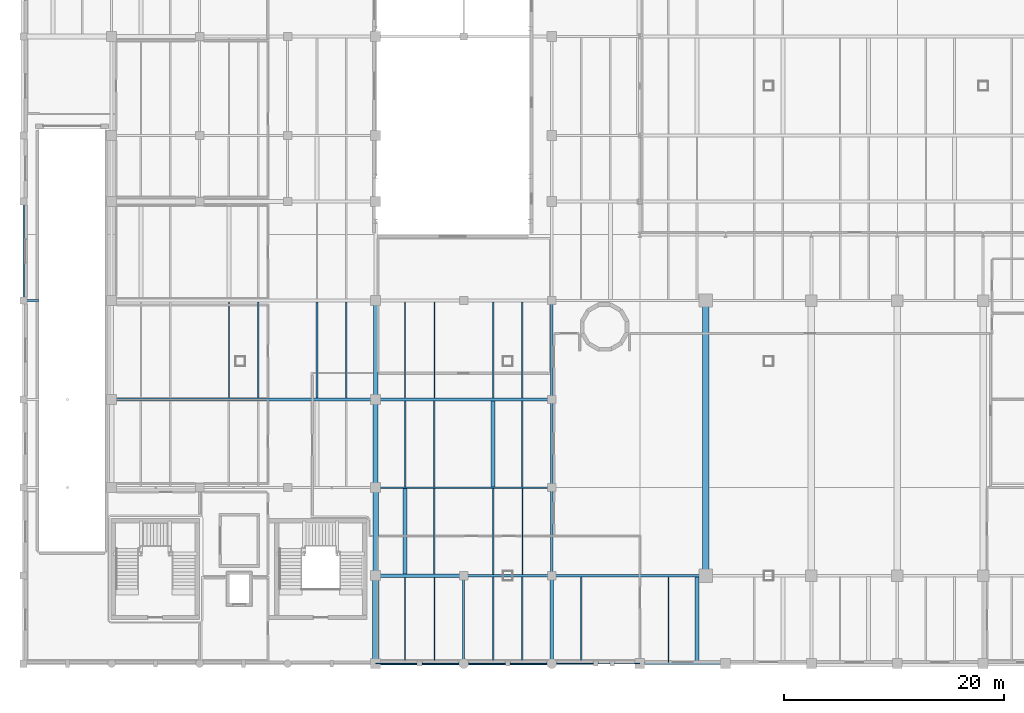
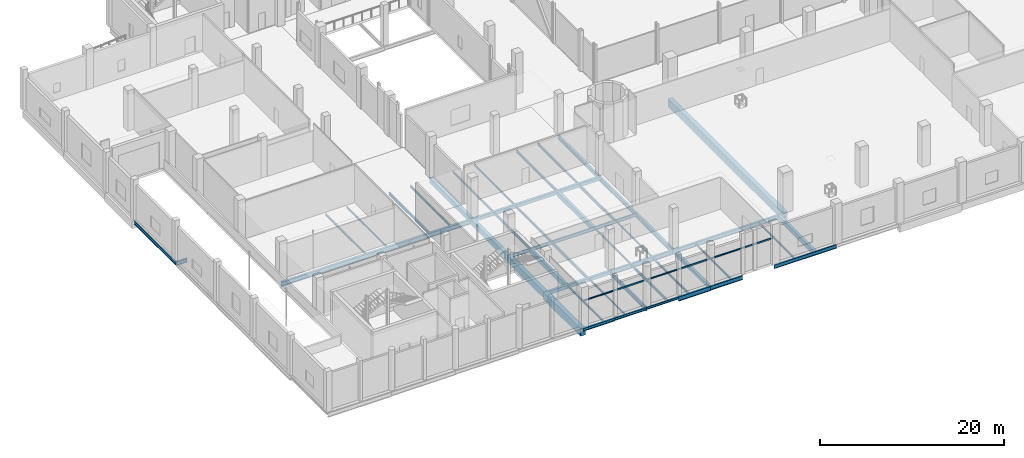
# One storey, part 20 of 57: 53 beams.
"""IFC4 building model written with IfcOpenShell, lengths in metres."""

from ifc_helpers import new_model, si_unit, derived_unit, direction, frame, origin, origin_2d, place, context, subcontext, project, spatial, rectangle, hollow_rectangle, i_section, extrude, material, material_profile, profile_set, type_object, element, save


model = new_model("IFC4")

# Units and contexts
model_context = context("Model", 3, precision=1e-05, world=origin(), true_north=direction((0.0, 1.0)))
body_context = subcontext(model_context, "Body", "Model", "MODEL_VIEW")
ifc_project = project(units=[si_unit("LENGTHUNIT", "METRE"), si_unit("AREAUNIT", "SQUARE_METRE"), si_unit("VOLUMEUNIT", "CUBIC_METRE"), si_unit("PLANEANGLEUNIT", "RADIAN"), si_unit("MASSUNIT", "GRAM", prefix="KILO"), derived_unit("THERMALTRANSMITTANCEUNIT", [(si_unit("POWERUNIT", "WATT"), 1), (si_unit("LENGTHUNIT", "METRE"), -2), (si_unit("THERMODYNAMICTEMPERATUREUNIT", "KELVIN"), -1)])], contexts=[model_context])

# Site, building, storey
site_placement = place(None, origin())
site = spatial("IfcSite", under=ifc_project, at=site_placement, CompositionType="ELEMENT")
building_placement = place(site_placement, origin())
building = spatial("IfcBuilding", under=site, at=building_placement, Name="Nallur Shell Playhouse", CompositionType="ELEMENT")
storey_placement = place(building_placement, origin())
storey = spatial("IfcBuildingStorey", under=building, at=storey_placement, Name="L01", CompositionType="ELEMENT", Elevation=0.0)

# Beams
ifc_material_1 = material(Name="Steel E250", Category="steel")
ifc_material_profile_1 = material_profile(ifc_material_1, i_section(OverallWidth=0.110107421875, OverallDepth=0.22509765625, WebThickness=0.006591796875, FlangeThickness=0.01171875, FilletRadius=0.011962890625, at=origin_2d()), Name="ISMB 225")
ifc_profile_set_1 = profile_set([ifc_material_profile_1], Name="Steel E250")
beam_type_1 = type_object("IfcBeamType", Name="BM-JST-ISMB225", PredefinedType="JOIST", material=ifc_profile_set_1)
beam_1_placement = place(storey_placement, frame((29.333251953125, 32.123046875, -0.4326171875), z_axis=(0.0, 1.0, 0.0), x_axis=(-1.0, 0.0, 0.0)))
element("IfcBeam", 1, at=beam_1_placement, inside=storey, type_object=beam_type_1, Name="L01 secondary joist 3-D-203", PredefinedType="JOIST", context=body_context, shape_type="SweptSolid", body=[
    extrude(i_section(OverallWidth=0.110107421875, OverallDepth=0.22509765625, WebThickness=0.006591796875, FlangeThickness=0.01171875, FilletRadius=0.011962890625, at=origin_2d()), origin(), (0.0, 0.0, 1.0), 8.75390625),
])
beam_2_placement = place(storey_placement, frame((45.333251953125, 8.097900390625, -0.4326171875), z_axis=(0.0, 1.0, 0.0), x_axis=(-1.0, 0.0, 0.0)))
element("IfcBeam", 2, at=beam_2_placement, inside=storey, type_object=beam_type_1, Name="L01 secondary joist 5-A-221", PredefinedType="JOIST", context=body_context, shape_type="SweptSolid", body=[
    extrude(i_section(OverallWidth=0.110107421875, OverallDepth=0.22509765625, WebThickness=0.006591796875, FlangeThickness=0.01171875, FilletRadius=0.011962890625, at=origin_2d()), origin(), (0.0, 0.0, 1.0), 7.754150390625),
])
beam_3_placement = place(storey_placement, frame((45.333251953125, 32.14794921875, -0.4326171875), z_axis=(0.0, 1.0, 0.0), x_axis=(-1.0, 0.0, 0.0)))
element("IfcBeam", 3, at=beam_3_placement, inside=storey, type_object=beam_type_1, Name="L01 secondary joist 5-D-227", PredefinedType="JOIST", context=body_context, shape_type="SweptSolid", body=[
    extrude(i_section(OverallWidth=0.110107421875, OverallDepth=0.22509765625, WebThickness=0.006591796875, FlangeThickness=0.01171875, FilletRadius=0.011962890625, at=origin_2d()), origin(), (0.0, 0.0, 1.0), 8.72900390625),
])
beam_4_placement = place(storey_placement, frame((53.333251953125, 16.123046875, -0.4326171875), z_axis=(0.0, 1.0, 0.0), x_axis=(-1.0, 0.0, 0.0)))
element("IfcBeam", 4, at=beam_4_placement, inside=storey, type_object=beam_type_1, Name="L01 secondary joist 6-B-239", PredefinedType="JOIST", context=body_context, shape_type="SweptSolid", body=[
    extrude(i_section(OverallWidth=0.110107421875, OverallDepth=0.22509765625, WebThickness=0.006591796875, FlangeThickness=0.01171875, FilletRadius=0.011962890625, at=origin_2d()), origin(), (0.0, 0.0, 1.0), 7.803955078125),
])
beam_5_placement = place(storey_placement, frame((66.60009765625, 8.087890625, -0.4326171875), z_axis=(0.0, 1.0, 0.0), x_axis=(-1.0, 0.0, 0.0)))
element("IfcBeam", 5, at=beam_5_placement, inside=storey, type_object=beam_type_1, Name="L01 secondary joist 8-A-257", PredefinedType="JOIST", context=body_context, shape_type="SweptSolid", body=[
    extrude(i_section(OverallWidth=0.110107421875, OverallDepth=0.22509765625, WebThickness=0.006591796875, FlangeThickness=0.01171875, FilletRadius=0.011962890625, at=origin_2d()), origin(), (0.0, 0.0, 1.0), 7.7890625),
])
ifc_material_profile_2 = material_profile(ifc_material_1, i_section(OverallWidth=0.125, OverallDepth=0.25, WebThickness=0.0068359375, FlangeThickness=0.012451171875, FilletRadius=0.012939453125, at=origin_2d()), Name="ISMB 250")
ifc_profile_set_2 = profile_set([ifc_material_profile_2], Name="Steel E250")
beam_type_2 = type_object("IfcBeamType", Name="BM-JST-ISMB250", PredefinedType="JOIST", material=ifc_profile_set_2)
beam_6_placement = place(storey_placement, frame((26.666748046875, 32.123046875, -0.445068359375), z_axis=(0.0, 1.0, 0.0), x_axis=(-1.0, 0.0, 0.0)))
element("IfcBeam", 6, at=beam_6_placement, inside=storey, type_object=beam_type_2, Name="L01 secondary joist 3-D-202", PredefinedType="JOIST", context=body_context, shape_type="SweptSolid", body=[
    extrude(i_section(OverallWidth=0.125, OverallDepth=0.25, WebThickness=0.0068359375, FlangeThickness=0.012451171875, FilletRadius=0.012939453125, at=origin_2d()), origin(), (0.0, 0.0, 1.0), 8.75390625),
])
beam_7_placement = place(storey_placement, frame((42.666748046875, 8.097900390625, -0.445068359375), z_axis=(0.0, 1.0, 0.0), x_axis=(-1.0, 0.0, 0.0)))
element("IfcBeam", 7, at=beam_7_placement, inside=storey, type_object=beam_type_2, Name="L01 secondary joist 5-A-220", PredefinedType="JOIST", context=body_context, shape_type="SweptSolid", body=[
    extrude(i_section(OverallWidth=0.125, OverallDepth=0.25, WebThickness=0.0068359375, FlangeThickness=0.012451171875, FilletRadius=0.012939453125, at=origin_2d()), origin(), (0.0, 0.0, 1.0), 7.754150390625),
])
beam_8_placement = place(storey_placement, frame((42.666748046875, 32.14794921875, -0.445068359375), z_axis=(0.0, 1.0, 0.0), x_axis=(-1.0, 0.0, 0.0)))
element("IfcBeam", 8, at=beam_8_placement, inside=storey, type_object=beam_type_2, Name="L01 secondary joist 5-D-226", PredefinedType="JOIST", context=body_context, shape_type="SweptSolid", body=[
    extrude(i_section(OverallWidth=0.125, OverallDepth=0.25, WebThickness=0.0068359375, FlangeThickness=0.012451171875, FilletRadius=0.012939453125, at=origin_2d()), origin(), (0.0, 0.0, 1.0), 8.72900390625),
])
beam_9_placement = place(storey_placement, frame((50.666748046875, 16.123046875, -0.445068359375), z_axis=(0.0, 1.0, 0.0), x_axis=(-1.0, 0.0, 0.0)))
element("IfcBeam", 9, at=beam_9_placement, inside=storey, type_object=beam_type_2, Name="L01 secondary joist 6-B-238", PredefinedType="JOIST", context=body_context, shape_type="SweptSolid", body=[
    extrude(i_section(OverallWidth=0.125, OverallDepth=0.25, WebThickness=0.0068359375, FlangeThickness=0.012451171875, FilletRadius=0.012939453125, at=origin_2d()), origin(), (0.0, 0.0, 1.0), 7.803955078125),
])
beam_10_placement = place(storey_placement, frame((58.666748046875, 8.093017578125, -0.445068359375), z_axis=(0.0, 1.0, 0.0), x_axis=(-1.0, 0.0, 0.0)))
element("IfcBeam", 10, at=beam_10_placement, inside=storey, type_object=beam_type_2, Name="L01 secondary joist 7-A-250", PredefinedType="JOIST", context=body_context, shape_type="SweptSolid", body=[
    extrude(i_section(OverallWidth=0.125, OverallDepth=0.25, WebThickness=0.0068359375, FlangeThickness=0.012451171875, FilletRadius=0.012939453125, at=origin_2d()), origin(), (0.0, 0.0, 1.0), 7.783935546875),
])
ifc_material_profile_3 = material_profile(ifc_material_1, i_section(OverallWidth=0.139892578125, OverallDepth=0.300048828125, WebThickness=0.0078125, FlangeThickness=0.01318359375, FilletRadius=0.013916015625, at=origin_2d()), Name="ISMB 300")
ifc_profile_set_3 = profile_set([ifc_material_profile_3], Name="Steel E250")
beam_type_3 = type_object("IfcBeamType", Name="BM-JST-ISMB300", PredefinedType="JOIST", material=ifc_profile_set_3)
beam_11_placement = place(storey_placement, frame((37.333251953125, 32.123046875, -0.469970703125), z_axis=(0.0, 1.0, 0.0), x_axis=(-1.0, 0.0, 0.0)))
element("IfcBeam", 11, at=beam_11_placement, inside=storey, type_object=beam_type_3, Name="L01 secondary joist 4-D-213", PredefinedType="JOIST", context=body_context, shape_type="SweptSolid", body=[
    extrude(i_section(OverallWidth=0.139892578125, OverallDepth=0.300048828125, WebThickness=0.0078125, FlangeThickness=0.01318359375, FilletRadius=0.013916015625, at=origin_2d()), origin(), (0.0, 0.0, 1.0), 8.75390625),
])
beam_12_placement = place(storey_placement, frame((45.333251953125, 24.072998046875, -0.469970703125), z_axis=(0.0, 1.0, 0.0), x_axis=(-1.0, 0.0, 0.0)))
element("IfcBeam", 12, at=beam_12_placement, inside=storey, type_object=beam_type_3, Name="L01 secondary joist 5-C-225", PredefinedType="JOIST", context=body_context, shape_type="SweptSolid", body=[
    extrude(i_section(OverallWidth=0.139892578125, OverallDepth=0.300048828125, WebThickness=0.0078125, FlangeThickness=0.01318359375, FilletRadius=0.013916015625, at=origin_2d()), origin(), (0.0, 0.0, 1.0), 7.779052734375),
])
beam_13_placement = place(storey_placement, frame((53.333251953125, 8.10302734375, -0.469970703125), z_axis=(0.0, 1.0, 0.0), x_axis=(-1.0, 0.0, 0.0)))
element("IfcBeam", 13, at=beam_13_placement, inside=storey, type_object=beam_type_3, Name="L01 secondary joist 6-A-237", PredefinedType="JOIST", context=body_context, shape_type="SweptSolid", body=[
    extrude(i_section(OverallWidth=0.139892578125, OverallDepth=0.300048828125, WebThickness=0.0078125, FlangeThickness=0.01318359375, FilletRadius=0.013916015625, at=origin_2d()), origin(), (0.0, 0.0, 1.0), 7.77392578125),
])
beam_14_placement = place(storey_placement, frame((53.333251953125, 32.14794921875, -0.469970703125), z_axis=(0.0, 1.0, 0.0), x_axis=(-1.0, 0.0, 0.0)))
element("IfcBeam", 14, at=beam_14_placement, inside=storey, type_object=beam_type_3, Name="L01 secondary joist 6-D-243", PredefinedType="JOIST", context=body_context, shape_type="SweptSolid", body=[
    extrude(i_section(OverallWidth=0.139892578125, OverallDepth=0.300048828125, WebThickness=0.0078125, FlangeThickness=0.01318359375, FilletRadius=0.013916015625, at=origin_2d()), origin(), (0.0, 0.0, 1.0), 8.72900390625),
])
ifc_material_profile_4 = material_profile(ifc_material_1, i_section(OverallWidth=0.139892578125, OverallDepth=0.35009765625, WebThickness=0.008056640625, FlangeThickness=0.01416015625, FilletRadius=0.013916015625, at=origin_2d()), Name="ISMB 350")
ifc_profile_set_4 = profile_set([ifc_material_profile_4], Name="Steel E250")
beam_type_4 = type_object("IfcBeamType", Name="BM-JST-ISMB350", PredefinedType="JOIST", material=ifc_profile_set_4)
beam_15_placement = place(storey_placement, frame((34.666748046875, 32.123046875, -0.4951171875), z_axis=(0.0, 1.0, 0.0), x_axis=(-1.0, 0.0, 0.0)))
element("IfcBeam", 15, at=beam_15_placement, inside=storey, type_object=beam_type_4, Name="L01 secondary joist 4-D-212", PredefinedType="JOIST", context=body_context, shape_type="SweptSolid", body=[
    extrude(i_section(OverallWidth=0.139892578125, OverallDepth=0.35009765625, WebThickness=0.008056640625, FlangeThickness=0.01416015625, FilletRadius=0.013916015625, at=origin_2d()), origin(), (0.0, 0.0, 1.0), 8.75390625),
])
for number, where, z_axis, x_axis, name in (
    (16, (42.666748046875, 24.072998046875, -0.4951171875), (0.0, 1.0, 0.0), (-1.0, 0.0, 0.0), "L01 secondary joist 5-C-224"),
    (17, (50.666748046875, 8.097900390625, -0.4951171875), (0.0, 1.0, 0.0), (-1.0, 0.0, 0.0), "L01 secondary joist 6-A-236"),
):
    element("IfcBeam", number, at=place(storey_placement, frame(where, z_axis=z_axis, x_axis=x_axis)), inside=storey, type_object=beam_type_4, Name=name, PredefinedType="JOIST", context=body_context, shape_type="SweptSolid", body=[
        extrude(i_section(OverallWidth=0.139892578125, OverallDepth=0.35009765625, WebThickness=0.008056640625, FlangeThickness=0.01416015625, FilletRadius=0.013916015625, at=origin_2d()), origin(), (0.0, 0.0, 1.0), 7.779052734375),
    ])
beam_16_placement = place(storey_placement, frame((50.666748046875, 32.14794921875, -0.4951171875), z_axis=(0.0, 1.0, 0.0), x_axis=(-1.0, 0.0, 0.0)))
element("IfcBeam", 18, at=beam_16_placement, inside=storey, type_object=beam_type_4, Name="L01 secondary joist 6-D-242", PredefinedType="JOIST", context=body_context, shape_type="SweptSolid", body=[
    extrude(i_section(OverallWidth=0.139892578125, OverallDepth=0.35009765625, WebThickness=0.008056640625, FlangeThickness=0.01416015625, FilletRadius=0.013916015625, at=origin_2d()), origin(), (0.0, 0.0, 1.0), 8.72900390625),
])
ifc_material_profile_5 = material_profile(ifc_material_1, i_section(OverallWidth=0.139892578125, OverallDepth=0.39990234375, WebThickness=0.0087890625, FlangeThickness=0.01611328125, FilletRadius=0.013916015625, at=origin_2d()), Name="ISMB 400")
ifc_profile_set_5 = profile_set([ifc_material_profile_5], Name="Steel E250")
beam_type_5 = type_object("IfcBeamType", Name="BM-JST-ISMB400", PredefinedType="JOIST", material=ifc_profile_set_5)
for number, where, z_axis, x_axis, name in (
    (19, (45.333251953125, 16.14794921875, -0.52001953125), (0.0, 1.0, 0.0), (-1.0, 0.0, 0.0), "L01 secondary joist 5-B-223"),
    (20, (53.333251953125, 24.072998046875, -0.52001953125), (0.0, 1.0, 0.0), (-1.0, 0.0, 0.0), "L01 secondary joist 6-C-241"),
):
    element("IfcBeam", number, at=place(storey_placement, frame(where, z_axis=z_axis, x_axis=x_axis)), inside=storey, type_object=beam_type_5, Name=name, PredefinedType="JOIST", context=body_context, shape_type="SweptSolid", body=[
        extrude(i_section(OverallWidth=0.139892578125, OverallDepth=0.39990234375, WebThickness=0.0087890625, FlangeThickness=0.01611328125, FilletRadius=0.013916015625, at=origin_2d()), origin(), (0.0, 0.0, 1.0), 7.779052734375),
    ])
ifc_material_profile_6 = material_profile(ifc_material_1, i_section(OverallWidth=0.10009765625, OverallDepth=0.199951171875, WebThickness=0.005615234375, FlangeThickness=0.0107421875, FilletRadius=0.010986328125, at=origin_2d()), Name="ISMB 200")
ifc_profile_set_6 = profile_set([ifc_material_profile_6], Name="Steel E250")
beam_type_6 = type_object("IfcBeamType", Name="BM-LIN-ISMB200", PredefinedType="LINTEL", material=ifc_profile_set_6)
for number, where, z_axis, x_axis, name in (
    (21, (40.0, 8.0, 3.300048828125), (1.0, 0.0, 0.0), (0.0, 1.0, 0.0), "L01 colonnade portal lintel 001"),
    (22, (48.0, 8.0, 3.300048828125), (1.0, 0.0, 0.0), (0.0, 1.0, 0.0), "L01 colonnade portal lintel 003"),
    (23, (56.0, 8.0, 3.300048828125), (1.0, 0.0, 0.0), (0.0, 1.0, 0.0), "L01 colonnade portal lintel 005"),
):
    element("IfcBeam", number, at=place(storey_placement, frame(where, z_axis=z_axis, x_axis=x_axis)), inside=storey, type_object=beam_type_6, Name=name, PredefinedType="LINTEL", context=body_context, shape_type="SweptSolid", body=[
        extrude(i_section(OverallWidth=0.10009765625, OverallDepth=0.199951171875, WebThickness=0.005615234375, FlangeThickness=0.0107421875, FilletRadius=0.010986328125, at=origin_2d()), origin(), (0.0, 0.0, 1.0), 4.0),
    ])
ifc_material_profile_7 = material_profile(ifc_material_1, hollow_rectangle(XDim=0.10009765625, YDim=0.199951171875, WallThickness=0.008056640625, at=origin_2d()), Name="RHS 200x100x8")
ifc_profile_set_7 = profile_set([ifc_material_profile_7], Name="Steel E250")
beam_type_7 = type_object("IfcBeamType", Name="BM-LIN-RHS200", PredefinedType="LINTEL", material=ifc_profile_set_7)
for number, where, z_axis, x_axis, name in (
    (24, (44.0, 8.0, 3.300048828125), (1.0, 0.0, 0.0), (0.0, 1.0, 0.0), "L01 colonnade portal lintel 002"),
    (25, (52.0, 8.0, 3.300048828125), (1.0, 0.0, 0.0), (0.0, 1.0, 0.0), "L01 colonnade portal lintel 004"),
    (26, (60.0, 8.0, 3.300048828125), (1.0, 0.0, 0.0), (0.0, 1.0, 0.0), "L01 colonnade portal lintel 006"),
):
    element("IfcBeam", number, at=place(storey_placement, frame(where, z_axis=z_axis, x_axis=x_axis)), inside=storey, type_object=beam_type_7, Name=name, PredefinedType="LINTEL", context=body_context, shape_type="SweptSolid", body=[
        extrude(hollow_rectangle(XDim=0.10009765625, YDim=0.199951171875, WallThickness=0.008056640625, at=origin_2d()), origin(), (0.0, 0.0, 1.0), 4.0),
    ])
ifc_material_2 = material(Name="Concrete M30", Category="concrete")
ifc_material_profile_8 = material_profile(ifc_material_2, rectangle(XDim=0.35009765625, YDim=0.60009765625, at=origin_2d()), Name="RC 350x600")
ifc_profile_set_8 = profile_set([ifc_material_profile_8], Name="Concrete M30")
beam_type_8 = type_object("IfcBeamType", Name="BM-RC-350x600", PredefinedType="JOIST", material=ifc_profile_set_8)
for number, where, z_axis, x_axis, name in (
    (27, (42.666748046875, 16.14794921875, -0.6201171875), (0.0, 1.0, 0.0), (-1.0, 0.0, 0.0), "L01 secondary joist 5-B-222"),
    (28, (50.666748046875, 24.072998046875, -0.6201171875), (0.0, 1.0, 0.0), (-1.0, 0.0, 0.0), "L01 secondary joist 6-C-240"),
):
    element("IfcBeam", number, at=place(storey_placement, frame(where, z_axis=z_axis, x_axis=x_axis)), inside=storey, type_object=beam_type_8, Name=name, PredefinedType="JOIST", context=body_context, shape_type="SweptSolid", body=[
        extrude(rectangle(XDim=0.35009765625, YDim=0.60009765625, at=origin_2d()), origin(), (0.0, 0.0, 1.0), 7.779052734375),
    ])
beam_17_placement = place(storey_placement, frame((69.199951171875, 8.087890625, -0.6201171875), z_axis=(0.0, 1.0, 0.0), x_axis=(-1.0, 0.0, 0.0)))
element("IfcBeam", 29, at=beam_17_placement, inside=storey, type_object=beam_type_8, Name="L01 secondary joist 8-A-258", PredefinedType="JOIST", context=body_context, shape_type="SweptSolid", body=[
    extrude(rectangle(XDim=0.35009765625, YDim=0.60009765625, at=origin_2d()), origin(), (0.0, 0.0, 1.0), 7.7890625),
])
ifc_material_3 = material(Name="Concrete M35", Category="concrete")
ifc_material_profile_9 = material_profile(ifc_material_3, rectangle(XDim=0.39990234375, YDim=0.64990234375, at=origin_2d()), Name="RC 400x650")
ifc_profile_set_9 = profile_set([ifc_material_profile_9], Name="Concrete M35")
beam_type_9 = type_object("IfcBeamType", Name="BM-RC-400x650", PredefinedType="BEAM", material=ifc_profile_set_9)
beam_18_placement = place(storey_placement, frame((40.0, 32.0, -0.64501953125), z_axis=(0.0, 1.0, 0.0), x_axis=(-1.0, 0.0, 0.0)))
element("IfcBeam", 30, at=beam_18_placement, inside=storey, type_object=beam_type_9, Name="L01 girder Y-5-111", PredefinedType="BEAM", context=body_context, shape_type="SweptSolid", body=[
    extrude(rectangle(XDim=0.39990234375, YDim=0.64990234375, at=origin_2d()), origin(), (0.0, 0.0, 1.0), 9.0),
])
ifc_material_profile_10 = material_profile(ifc_material_3, rectangle(XDim=0.449951171875, YDim=0.75, at=origin_2d()), Name="RC 450x750")
ifc_profile_set_10 = profile_set([ifc_material_profile_10], Name="Concrete M35")
beam_type_10 = type_object("IfcBeamType", Name="BM-RC-450x750", PredefinedType="BEAM", material=ifc_profile_set_10)
beam_19_placement = place(storey_placement, frame((40.0, 24.0, -0.695068359375), z_axis=(0.0, 1.0, 0.0), x_axis=(-1.0, 0.0, 0.0)))
element("IfcBeam", 31, at=beam_19_placement, inside=storey, type_object=beam_type_10, Name="L01 girder Y-5-110", PredefinedType="BEAM", context=body_context, shape_type="SweptSolid", body=[
    extrude(rectangle(XDim=0.449951171875, YDim=0.75, at=origin_2d()), origin(), (0.0, 0.0, 1.0), 8.0),
])
ifc_material_4 = material(Name="Concrete M40", Category="concrete")
ifc_material_profile_11 = material_profile(ifc_material_4, rectangle(XDim=0.5, YDim=0.85009765625, at=origin_2d()), Name="RC 500x850")
ifc_profile_set_11 = profile_set([ifc_material_profile_11], Name="Concrete M40")
beam_type_11 = type_object("IfcBeamType", Name="BM-RC-500x850", PredefinedType="BEAM", material=ifc_profile_set_11)
beam_20_placement = place(storey_placement, frame((40.0, 16.0, -0.7451171875), z_axis=(0.0, 1.0, 0.0), x_axis=(-1.0, 0.0, 0.0)))
element("IfcBeam", 32, at=beam_20_placement, inside=storey, type_object=beam_type_11, Name="L01 girder Y-5-109", PredefinedType="BEAM", context=body_context, shape_type="SweptSolid", body=[
    extrude(rectangle(XDim=0.5, YDim=0.85009765625, at=origin_2d()), origin(), (0.0, 0.0, 1.0), 8.0),
])
ifc_material_profile_12 = material_profile(ifc_material_4, rectangle(XDim=0.60009765625, YDim=1.0, at=origin_2d()), Name="RC 600x1000")
ifc_profile_set_12 = profile_set([ifc_material_profile_12], Name="Concrete M40")
beam_type_12 = type_object("IfcBeamType", Name="BM-RC-600x1000", PredefinedType="BEAM", material=ifc_profile_set_12)
beam_21_placement = place(storey_placement, frame((40.0, 8.0, -0.820068359375), z_axis=(0.0, 1.0, 0.0), x_axis=(-1.0, 0.0, 0.0)))
element("IfcBeam", 33, at=beam_21_placement, inside=storey, type_object=beam_type_12, Name="L01 girder Y-5-108", PredefinedType="BEAM", context=body_context, shape_type="SweptSolid", body=[
    extrude(rectangle(XDim=0.60009765625, YDim=1.0, at=origin_2d()), origin(), (0.0, 0.0, 1.0), 8.0),
])
beam_22_placement = place(storey_placement, frame((70.0, 16.0, -0.820068359375), z_axis=(0.0, 1.0, 0.0), x_axis=(-1.0, 0.0, 0.0)))
element("IfcBeam", 34, at=beam_22_placement, inside=storey, type_object=beam_type_12, Name="L01 girder Y-MC1-178", PredefinedType="BEAM", context=body_context, shape_type="SweptSolid", body=[
    extrude(rectangle(XDim=0.60009765625, YDim=1.0, at=origin_2d()), origin(), (0.0, 0.0, 1.0), 25.0),
])
ifc_material_profile_13 = material_profile(ifc_material_3, rectangle(XDim=0.300048828125, YDim=0.449951171875, at=origin_2d()), Name="RC 300x450")
ifc_profile_set_13 = profile_set([ifc_material_profile_13], Name="Concrete M35")
beam_type_13 = type_object("IfcBeamType", Name="BM-SPN-300x450", PredefinedType="SPANDREL", material=ifc_profile_set_13)
beam_23_placement = place(storey_placement, frame((40.0, 16.0, -0.544921875), z_axis=(1.0, 0.0, 0.0), x_axis=(0.0, 1.0, 0.0)))
element("IfcBeam", 35, at=beam_23_placement, inside=storey, type_object=beam_type_13, Name="L01 girder X-B-16", PredefinedType="SPANDREL", context=body_context, shape_type="SweptSolid", body=[
    extrude(rectangle(XDim=0.300048828125, YDim=0.449951171875, at=origin_2d()), origin(), (0.0, 0.0, 1.0), 8.0),
])
beam_24_placement = place(storey_placement, frame((40.0, 32.0, -0.544921875), z_axis=(1.0, 0.0, 0.0), x_axis=(0.0, 1.0, 0.0)))
element("IfcBeam", 36, at=beam_24_placement, inside=storey, type_object=beam_type_13, Name="L01 girder X-D-32", PredefinedType="SPANDREL", context=body_context, shape_type="SweptSolid", body=[
    extrude(rectangle(XDim=0.300048828125, YDim=0.449951171875, at=origin_2d()), origin(), (0.0, 0.0, 1.0), 16.0),
])
beam_25_placement = place(storey_placement, frame((56.0, 8.0, -0.544921875), z_axis=(0.0, 1.0, 0.0), x_axis=(-1.0, 0.0, 0.0)))
element("IfcBeam", 37, at=beam_25_placement, inside=storey, type_object=beam_type_13, Name="L01 girder Y-7-128", PredefinedType="SPANDREL", context=body_context, shape_type="SweptSolid", body=[
    extrude(rectangle(XDim=0.300048828125, YDim=0.449951171875, at=origin_2d()), origin(), (0.0, 0.0, 1.0), 8.0),
])
ifc_material_5 = material(Name="Steel E350", Category="steel")
ifc_material_profile_14 = material_profile(ifc_material_5, i_section(OverallWidth=0.14990234375, OverallDepth=0.449951171875, WebThickness=0.009521484375, FlangeThickness=0.017333984375, FilletRadius=0.014892578125, at=origin_2d()), Name="ISMB 450")
ifc_profile_set_14 = profile_set([ifc_material_profile_14], Name="Steel E350")
beam_type_14 = type_object("IfcBeamType", Name="BM-ST-ISMB450", PredefinedType="BEAM", material=ifc_profile_set_14)
beam_26_placement = place(storey_placement, frame((40.0, 24.0, -0.544921875), z_axis=(1.0, 0.0, 0.0), x_axis=(0.0, 1.0, 0.0)))
element("IfcBeam", 38, at=beam_26_placement, inside=storey, type_object=beam_type_14, Name="L01 girder X-C-27", PredefinedType="BEAM", context=body_context, shape_type="SweptSolid", body=[
    extrude(i_section(OverallWidth=0.14990234375, OverallDepth=0.449951171875, WebThickness=0.009521484375, FlangeThickness=0.017333984375, FilletRadius=0.014892578125, at=origin_2d()), origin(), (0.0, 0.0, 1.0), 16.0),
])
beam_27_placement = place(storey_placement, frame((8.0, 41.0, -0.544921875), z_axis=(0.0, 1.0, 0.0), x_axis=(-1.0, 0.0, 0.0)))
element("IfcBeam", 39, at=beam_27_placement, inside=storey, type_object=beam_type_14, Name="L01 girder Y-1-91", PredefinedType="BEAM", context=body_context, shape_type="SweptSolid", body=[
    extrude(i_section(OverallWidth=0.14990234375, OverallDepth=0.449951171875, WebThickness=0.009521484375, FlangeThickness=0.017333984375, FilletRadius=0.014892578125, at=origin_2d()), origin(), (0.0, 0.0, 1.0), 9.0),
])
ifc_material_profile_15 = material_profile(ifc_material_5, i_section(OverallWidth=0.179931640625, OverallDepth=0.5, WebThickness=0.01025390625, FlangeThickness=0.01708984375, FilletRadius=0.01708984375, at=origin_2d()), Name="ISMB 500")
ifc_profile_set_15 = profile_set([ifc_material_profile_15], Name="Steel E350")
beam_type_15 = type_object("IfcBeamType", Name="BM-ST-ISMB500", PredefinedType="BEAM", material=ifc_profile_set_15)
beam_28_placement = place(storey_placement, frame((64.0, 8.0, -0.570068359375), z_axis=(1.0, 0.0, 0.0), x_axis=(0.0, 1.0, 0.0)))
element("IfcBeam", 40, at=beam_28_placement, inside=storey, type_object=beam_type_15, Name="L01 girder X-A-10", PredefinedType="BEAM", context=body_context, shape_type="SweptSolid", body=[
    extrude(i_section(OverallWidth=0.179931640625, OverallDepth=0.5, WebThickness=0.01025390625, FlangeThickness=0.01708984375, FilletRadius=0.01708984375, at=origin_2d()), origin(), (0.0, 0.0, 1.0), 7.800048828125),
])
beam_29_placement = place(storey_placement, frame((48.0, 8.0, -0.570068359375), z_axis=(0.0, 1.0, 0.0), x_axis=(-1.0, 0.0, 0.0)))
element("IfcBeam", 41, at=beam_29_placement, inside=storey, type_object=beam_type_15, Name="L01 girder Y-6-122", PredefinedType="BEAM", context=body_context, shape_type="SweptSolid", body=[
    extrude(i_section(OverallWidth=0.179931640625, OverallDepth=0.5, WebThickness=0.01025390625, FlangeThickness=0.01708984375, FilletRadius=0.01708984375, at=origin_2d()), origin(), (0.0, 0.0, 1.0), 8.0),
])
beam_30_placement = place(storey_placement, frame((8.0, 41.0, -0.570068359375), z_axis=(1.0, 0.0, 0.0), x_axis=(0.0, 1.0, 0.0)))
element("IfcBeam", 42, at=beam_30_placement, inside=storey, type_object=beam_type_15, Name="L01 west ramp-edge support beam Y=41.0", PredefinedType="BEAM", context=body_context, shape_type="SweptSolid", body=[
    extrude(i_section(OverallWidth=0.179931640625, OverallDepth=0.5, WebThickness=0.01025390625, FlangeThickness=0.01708984375, FilletRadius=0.01708984375, at=origin_2d()), origin(), (0.0, 0.0, 1.0), 1.39990234375),
])
ifc_material_profile_16 = material_profile(ifc_material_5, i_section(OverallWidth=0.18994140625, OverallDepth=0.550048828125, WebThickness=0.01123046875, FlangeThickness=0.019287109375, FilletRadius=0.01806640625, at=origin_2d()), Name="ISMB 550")
ifc_profile_set_16 = profile_set([ifc_material_profile_16], Name="Steel E350")
beam_type_16 = type_object("IfcBeamType", Name="BM-ST-ISMB550", PredefinedType="BEAM", material=ifc_profile_set_16)
beam_31_placement = place(storey_placement, frame((56.0, 8.0, -0.594970703125), z_axis=(1.0, 0.0, 0.0), x_axis=(0.0, 1.0, 0.0)))
element("IfcBeam", 43, at=beam_31_placement, inside=storey, type_object=beam_type_16, Name="L01 girder X-A-9", PredefinedType="BEAM", context=body_context, shape_type="SweptSolid", body=[
    extrude(i_section(OverallWidth=0.18994140625, OverallDepth=0.550048828125, WebThickness=0.01123046875, FlangeThickness=0.019287109375, FilletRadius=0.01806640625, at=origin_2d()), origin(), (0.0, 0.0, 1.0), 4.0),
])
ifc_material_profile_17 = material_profile(ifc_material_5, i_section(OverallWidth=0.2099609375, OverallDepth=0.60009765625, WebThickness=0.011962890625, FlangeThickness=0.020751953125, FilletRadius=0.02001953125, at=origin_2d()), Name="ISMB 600")
ifc_profile_set_17 = profile_set([ifc_material_profile_17], Name="Steel E350")
beam_type_17 = type_object("IfcBeamType", Name="BM-ST-ISMB600", PredefinedType="BEAM", material=ifc_profile_set_17)
beam_32_placement = place(storey_placement, frame((52.0, 8.0, -0.6201171875), z_axis=(1.0, 0.0, 0.0), x_axis=(0.0, 1.0, 0.0)))
element("IfcBeam", 44, at=beam_32_placement, inside=storey, type_object=beam_type_17, Name="L01 girder X-A-8", PredefinedType="BEAM", context=body_context, shape_type="SweptSolid", body=[
    extrude(i_section(OverallWidth=0.2099609375, OverallDepth=0.60009765625, WebThickness=0.011962890625, FlangeThickness=0.020751953125, FilletRadius=0.02001953125, at=origin_2d()), origin(), (0.0, 0.0, 1.0), 4.0),
])
ifc_material_profile_18 = material_profile(ifc_material_1, i_section(OverallWidth=0.199951171875, OverallDepth=0.300048828125, WebThickness=0.00732421875, FlangeThickness=0.010009765625, FilletRadius=0.010986328125, at=origin_2d()), Name="ISWB 300")
ifc_profile_set_18 = profile_set([ifc_material_profile_18], Name="Steel E250")
beam_type_18 = type_object("IfcBeamType", Name="BM-ST-ISWB300", PredefinedType="BEAM", material=ifc_profile_set_18)
beam_33_placement = place(storey_placement, frame((48.0, 8.0, -0.469970703125), z_axis=(1.0, 0.0, 0.0), x_axis=(0.0, 1.0, 0.0)))
element("IfcBeam", 45, at=beam_33_placement, inside=storey, type_object=beam_type_18, Name="L01 girder X-A-7", PredefinedType="BEAM", context=body_context, shape_type="SweptSolid", body=[
    extrude(i_section(OverallWidth=0.199951171875, OverallDepth=0.300048828125, WebThickness=0.00732421875, FlangeThickness=0.010009765625, FilletRadius=0.010986328125, at=origin_2d()), origin(), (0.0, 0.0, 1.0), 4.0),
])
ifc_material_profile_19 = material_profile(ifc_material_5, i_section(OverallWidth=0.199951171875, OverallDepth=0.35009765625, WebThickness=0.008056640625, FlangeThickness=0.011474609375, FilletRadius=0.011962890625, at=origin_2d()), Name="ISWB 350")
ifc_profile_set_19 = profile_set([ifc_material_profile_19], Name="Steel E350")
beam_type_19 = type_object("IfcBeamType", Name="BM-ST-ISWB350", PredefinedType="BEAM", material=ifc_profile_set_19)
beam_34_placement = place(storey_placement, frame((44.0, 8.0, -0.4951171875), z_axis=(1.0, 0.0, 0.0), x_axis=(0.0, 1.0, 0.0)))
element("IfcBeam", 46, at=beam_34_placement, inside=storey, type_object=beam_type_19, Name="L01 girder X-A-6", PredefinedType="BEAM", context=body_context, shape_type="SweptSolid", body=[
    extrude(i_section(OverallWidth=0.199951171875, OverallDepth=0.35009765625, WebThickness=0.008056640625, FlangeThickness=0.011474609375, FilletRadius=0.011962890625, at=origin_2d()), origin(), (0.0, 0.0, 1.0), 4.0),
])
ifc_material_profile_20 = material_profile(ifc_material_5, i_section(OverallWidth=0.199951171875, OverallDepth=0.39990234375, WebThickness=0.008544921875, FlangeThickness=0.012939453125, FilletRadius=0.012939453125, at=origin_2d()), Name="ISWB 400")
ifc_profile_set_20 = profile_set([ifc_material_profile_20], Name="Steel E350")
beam_type_20 = type_object("IfcBeamType", Name="BM-ST-ISWB400", PredefinedType="BEAM", material=ifc_profile_set_20)
beam_35_placement = place(storey_placement, frame((40.0, 8.0, -0.52001953125), z_axis=(1.0, 0.0, 0.0), x_axis=(0.0, 1.0, 0.0)))
element("IfcBeam", 47, at=beam_35_placement, inside=storey, type_object=beam_type_20, Name="L01 girder X-A-5", PredefinedType="BEAM", context=body_context, shape_type="SweptSolid", body=[
    extrude(i_section(OverallWidth=0.199951171875, OverallDepth=0.39990234375, WebThickness=0.008544921875, FlangeThickness=0.012939453125, FilletRadius=0.012939453125, at=origin_2d()), origin(), (0.0, 0.0, 1.0), 4.0),
])
ifc_material_profile_21 = material_profile(ifc_material_5, i_section(OverallWidth=0.25, OverallDepth=0.5, WebThickness=0.010009765625, FlangeThickness=0.0146484375, FilletRadius=0.014892578125, at=origin_2d()), Name="ISWB 500")
ifc_profile_set_21 = profile_set([ifc_material_profile_21], Name="Steel E350")
beam_type_21 = type_object("IfcBeamType", Name="BM-ST-ISWB500", PredefinedType="BEAM", material=ifc_profile_set_21)
beam_36_placement = place(storey_placement, frame((56.0, 32.0, -0.570068359375), z_axis=(0.0, 1.0, 0.0), x_axis=(-1.0, 0.0, 0.0)))
element("IfcBeam", 48, at=beam_36_placement, inside=storey, type_object=beam_type_21, Name="L01 girder Y-7-131", PredefinedType="BEAM", context=body_context, shape_type="SweptSolid", body=[
    extrude(i_section(OverallWidth=0.25, OverallDepth=0.5, WebThickness=0.010009765625, FlangeThickness=0.0146484375, FilletRadius=0.014892578125, at=origin_2d()), origin(), (0.0, 0.0, 1.0), 9.0),
])
ifc_material_profile_22 = material_profile(ifc_material_5, i_section(OverallWidth=0.25, OverallDepth=0.550048828125, WebThickness=0.010498046875, FlangeThickness=0.017578125, FilletRadius=0.01611328125, at=origin_2d()), Name="ISWB 550")
ifc_profile_set_22 = profile_set([ifc_material_profile_22], Name="Steel E350")
beam_type_22 = type_object("IfcBeamType", Name="BM-ST-ISWB550", PredefinedType="BEAM", material=ifc_profile_set_22)
beam_37_placement = place(storey_placement, frame((56.0, 16.0, -0.594970703125), z_axis=(1.0, 0.0, 0.0), x_axis=(0.0, 1.0, 0.0)))
element("IfcBeam", 49, at=beam_37_placement, inside=storey, type_object=beam_type_22, Name="L01 girder X-B-18", PredefinedType="BEAM", context=body_context, shape_type="SweptSolid", body=[
    extrude(i_section(OverallWidth=0.25, OverallDepth=0.550048828125, WebThickness=0.010498046875, FlangeThickness=0.017578125, FilletRadius=0.01611328125, at=origin_2d()), origin(), (0.0, 0.0, 1.0), 14.0),
])
beam_38_placement = place(storey_placement, frame((56.0, 24.0, -0.594970703125), z_axis=(0.0, 1.0, 0.0), x_axis=(-1.0, 0.0, 0.0)))
element("IfcBeam", 50, at=beam_38_placement, inside=storey, type_object=beam_type_22, Name="L01 girder Y-7-130", PredefinedType="BEAM", context=body_context, shape_type="SweptSolid", body=[
    extrude(i_section(OverallWidth=0.25, OverallDepth=0.550048828125, WebThickness=0.010498046875, FlangeThickness=0.017578125, FilletRadius=0.01611328125, at=origin_2d()), origin(), (0.0, 0.0, 1.0), 8.0),
])
ifc_material_profile_23 = material_profile(ifc_material_5, i_section(OverallWidth=0.25, OverallDepth=0.60009765625, WebThickness=0.01171875, FlangeThickness=0.023681640625, FilletRadius=0.01708984375, at=origin_2d()), Name="ISWB 600")
ifc_profile_set_23 = profile_set([ifc_material_profile_23], Name="Steel E350")
beam_type_23 = type_object("IfcBeamType", Name="BM-ST-ISWB600", PredefinedType="BEAM", material=ifc_profile_set_23)
for number, where, z_axis, x_axis, name in (
    (51, (48.0, 16.0, -0.6201171875), (1.0, 0.0, 0.0), (0.0, 1.0, 0.0), "L01 girder X-B-17"),
    (52, (56.0, 16.0, -0.6201171875), (0.0, 1.0, 0.0), (-1.0, 0.0, 0.0), "L01 girder Y-7-129"),
):
    element("IfcBeam", number, at=place(storey_placement, frame(where, z_axis=z_axis, x_axis=x_axis)), inside=storey, type_object=beam_type_23, Name=name, PredefinedType="BEAM", context=body_context, shape_type="SweptSolid", body=[
        extrude(i_section(OverallWidth=0.25, OverallDepth=0.60009765625, WebThickness=0.01171875, FlangeThickness=0.023681640625, FilletRadius=0.01708984375, at=origin_2d()), origin(), (0.0, 0.0, 1.0), 8.0),
    ])
beam_39_placement = place(storey_placement, frame((16.0, 32.0, -0.6201171875), z_axis=(1.0, 0.0, 0.0), x_axis=(0.0, 1.0, 0.0)))
element("IfcBeam", 53, at=beam_39_placement, inside=storey, type_object=beam_type_23, Name="L01 long-span hall girder Y=32.0-180", PredefinedType="BEAM", context=body_context, shape_type="SweptSolid", body=[
    extrude(i_section(OverallWidth=0.25, OverallDepth=0.60009765625, WebThickness=0.01171875, FlangeThickness=0.023681640625, FilletRadius=0.01708984375, at=origin_2d()), origin(), (0.0, 0.0, 1.0), 24.0),
])

save(model, "model.ifc")
